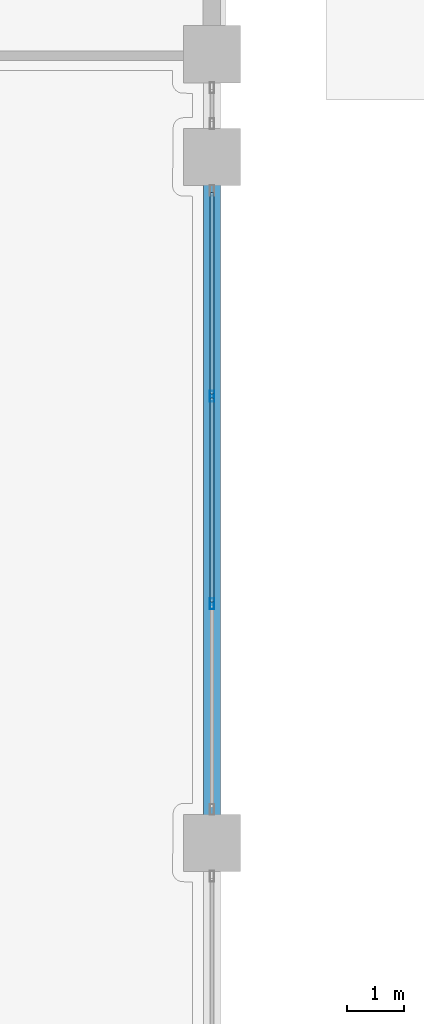
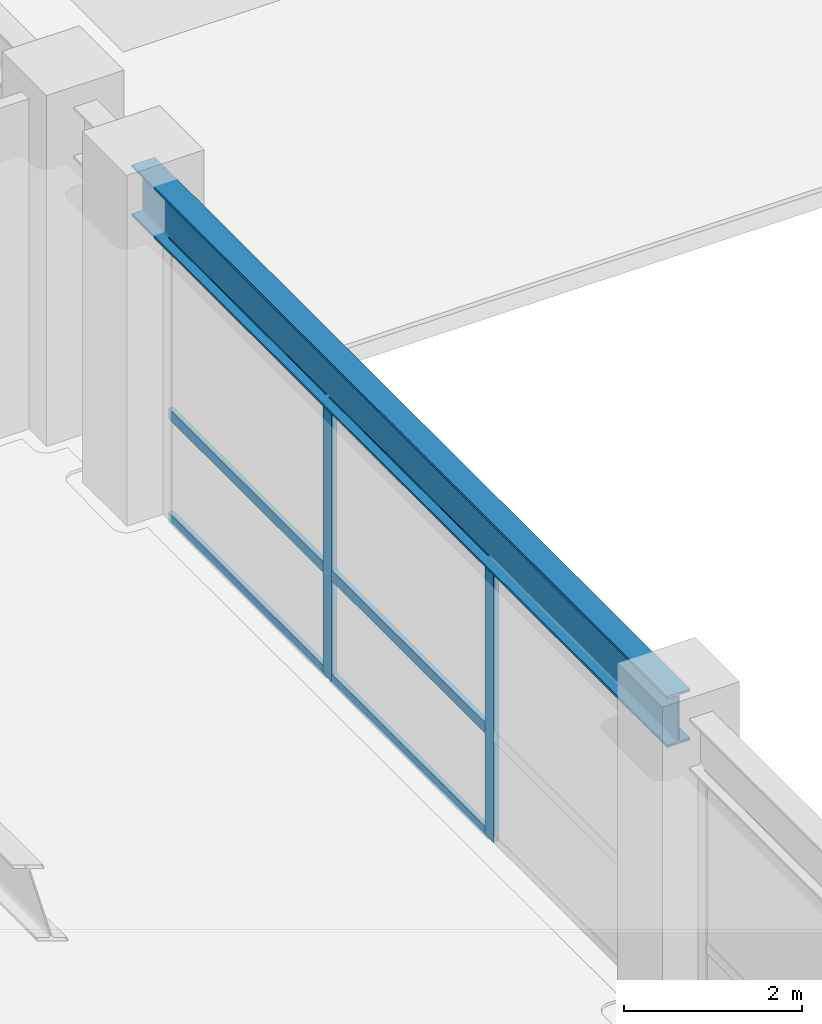
# One storey, part 7 of 34: 8 members, 1 beam, 1 element without a shape of its own.
"""IFC4 building model written with IfcOpenShell, lengths in metres."""

from ifc_helpers import new_model, si_unit, derived_unit, direction, frame, origin, origin_2d, place, context, subcontext, project, spatial, hollow_rectangle, i_section, extrude, source, transform, mapped, material, layer, layer_set, material_profile, profile_set, type_object, element, aggregate, save


model = new_model("IFC4")

# Units and contexts
model_context = context("Model", 3, precision=1e-05, world=origin(), true_north=direction((0.0, 1.0)))
body_context = subcontext(model_context, "Body", "Model", "MODEL_VIEW")
ifc_project = project(units=[si_unit("LENGTHUNIT", "METRE"), si_unit("AREAUNIT", "SQUARE_METRE"), si_unit("VOLUMEUNIT", "CUBIC_METRE"), si_unit("PLANEANGLEUNIT", "RADIAN"), si_unit("MASSUNIT", "GRAM", prefix="KILO"), derived_unit("THERMALTRANSMITTANCEUNIT", [(si_unit("POWERUNIT", "WATT"), 1), (si_unit("LENGTHUNIT", "METRE"), -2), (si_unit("THERMODYNAMICTEMPERATUREUNIT", "KELVIN"), -1)])], contexts=[model_context])

# Site, building, storey
site_placement = place(None, origin())
site = spatial("IfcSite", under=ifc_project, at=site_placement, CompositionType="ELEMENT")
building_placement = place(site_placement, origin())
building = spatial("IfcBuilding", under=site, at=building_placement, Name="Korsvarv Bourse and Concert Hall", CompositionType="ELEMENT")
storey_placement = place(building_placement, frame((0.0, 0.0, 14.39990234375)))
storey = spatial("IfcBuildingStorey", under=building, at=storey_placement, Name="L03", CompositionType="ELEMENT", Elevation=14.39990234375)

# Beam
ifc_material_1 = material(Name="Steel S355", Category="steel")
ifc_material_profile_1 = material_profile(ifc_material_1, i_section(OverallWidth=0.300048828125, OverallDepth=0.699951171875, WebThickness=0.01708984375, FlangeThickness=0.031982421875, FilletRadius=0.027099609375, at=origin_2d()), Name="HEB 700")
ifc_profile_set_1 = profile_set([ifc_material_profile_1], Name="Steel S355")
beam_type = type_object("IfcBeamType", Name="BM-HEB700", PredefinedType="BEAM", material=ifc_profile_set_1)
shared_shape_1 = source(origin(), body_context, "Body", "SweptSolid", [
    extrude(i_section(OverallWidth=0.300048828125, OverallDepth=0.699951171875, WebThickness=0.01708984375, FlangeThickness=0.031982421875, FilletRadius=0.027099609375, at=origin_2d()), origin(), (0.0, 0.0, 1.0), 12.0),
])
beam_placement = place(storey_placement, frame((66.0, 16.0, 4.170166015625), z_axis=(0.0, 1.0, 0.0), x_axis=(-1.0, 0.0, 0.0)))
element("IfcBeam", 1, at=beam_placement, inside=storey, type_object=beam_type, Name="L03 beam B-03", PredefinedType="BEAM", context=body_context, shape_type="MappedRepresentation", body=[
    mapped(shared_shape_1, transform((0.0, 0.0, 0.0), scale=1.0)),
])

# Curtain wall, members
ifc_material_2 = material(Name="Anodised aluminium and triple low-E glazing", Category="glass")
ifc_layer = layer(ifc_material_2, 0.239990234375)
ifc_layer_set = layer_set([ifc_layer], Name="Anodised aluminium and triple low-E glazing")
curtain_wall_type = type_object("IfcCurtainWallType", Name="CW-SYS-5", PredefinedType="NOTDEFINED", material=ifc_layer_set)
curtain_wall_placement = place(storey_placement, origin())
curtain_wall = element("IfcCurtainWall", 2, at=curtain_wall_placement, inside=storey, type_object=curtain_wall_type, Name="L03 CW5 curtain wall CW-L03-E2-1", PredefinedType="NOTDEFINED")
ifc_material_3 = material(Name="Extruded aluminium EN AW-6063 T66", Category="aluminium")
ifc_material_profile_2 = material_profile(ifc_material_3, hollow_rectangle(XDim=0.070068359375, YDim=0.18994140625, WallThickness=0.0048828125, at=origin_2d()), Name="ALU-M 70x190")
ifc_profile_set_2 = profile_set([ifc_material_profile_2], Name="Extruded aluminium EN AW-6063 T66")
member_type_1 = type_object("IfcMemberType", Name="CWM-190", PredefinedType="MULLION", material=ifc_profile_set_2)
shared_shape_2 = source(origin(), body_context, "Body", "SweptSolid", [
    extrude(hollow_rectangle(XDim=0.070068359375, YDim=0.18994140625, WallThickness=0.0048828125, at=origin_2d()), origin(), (0.0, 0.0, 1.0), 3.820068359375),
])
member_1_placement = place(storey_placement, frame((66.0, 20.183349609375, 0.0), z_axis=(0.0, 0.0, 1.0), x_axis=(-1.0, 0.0, 0.0)))
member_1 = element("IfcMember", 3, at=member_1_placement, type_object=member_type_1, Name="CW5 mullion 2", PredefinedType="MULLION", context=body_context, shape_type="MappedRepresentation", body=[
    mapped(shared_shape_2, transform((0.0, 0.0, 0.0), scale=1.0)),
])
member_2_placement = place(storey_placement, frame((66.0, 23.816650390625, 0.0), z_axis=(0.0, 0.0, 1.0), x_axis=(-1.0, 0.0, 0.0)))
member_2 = element("IfcMember", 4, at=member_2_placement, type_object=member_type_1, Name="CW5 mullion 3", PredefinedType="MULLION", context=body_context, shape_type="MappedRepresentation", body=[
    mapped(shared_shape_2, transform((0.0, 0.0, 0.0), scale=1.0)),
])
ifc_material_profile_3 = material_profile(ifc_material_3, hollow_rectangle(XDim=0.06494140625, YDim=0.139892578125, WallThickness=0.00390625, at=origin_2d()), Name="ALU-T 65x140")
ifc_profile_set_3 = profile_set([ifc_material_profile_3], Name="Extruded aluminium EN AW-6063 T66")
member_type_2 = type_object("IfcMemberType", Name="CWT-140", PredefinedType="USERDEFINED", material=ifc_profile_set_3)
shared_shape_3 = source(origin(), body_context, "Body", "SweptSolid", [
    extrude(hollow_rectangle(XDim=0.06494140625, YDim=0.139892578125, WallThickness=0.00390625, at=origin_2d()), origin(), (0.0, 0.0, 1.0), 3.5283203125),
])
member_3_placement = place(storey_placement, frame((66.0, 23.8515625, 0.03271484375), z_axis=(0.0, 1.0, 0.0), x_axis=(-1.0, 0.0, 0.0)))
member_3 = element("IfcMember", 5, at=member_3_placement, type_object=member_type_2, Name="CW5 transom 3.1", ObjectType="TRANSOM", PredefinedType="USERDEFINED", context=body_context, shape_type="MappedRepresentation", body=[
    mapped(shared_shape_3, transform((0.0, 0.0, 0.0), scale=1.0)),
])
member_4_placement = place(storey_placement, frame((66.0, 23.8515625, 1.45166015625), z_axis=(0.0, 1.0, 0.0), x_axis=(-1.0, 0.0, 0.0)))
member_4 = element("IfcMember", 6, at=member_4_placement, type_object=member_type_2, Name="CW5 transom 3.2", ObjectType="TRANSOM", PredefinedType="USERDEFINED", context=body_context, shape_type="MappedRepresentation", body=[
    mapped(shared_shape_3, transform((0.0, 0.0, 0.0), scale=1.0)),
])
member_5_placement = place(storey_placement, frame((66.0, 23.8515625, 3.78759765625), z_axis=(0.0, 1.0, 0.0), x_axis=(-1.0, 0.0, 0.0)))
member_5 = element("IfcMember", 7, at=member_5_placement, type_object=member_type_2, Name="CW5 transom 3.3", ObjectType="TRANSOM", PredefinedType="USERDEFINED", context=body_context, shape_type="MappedRepresentation", body=[
    mapped(shared_shape_3, transform((0.0, 0.0, 0.0), scale=1.0)),
])
shared_shape_4 = source(origin(), body_context, "Body", "SweptSolid", [
    extrude(hollow_rectangle(XDim=0.06494140625, YDim=0.139892578125, WallThickness=0.00390625, at=origin_2d()), origin(), (0.0, 0.0, 1.0), 3.5634765625),
])
member_6_placement = place(storey_placement, frame((66.0, 20.21826171875, 0.03271484375), z_axis=(0.0, 1.0, 0.0), x_axis=(-1.0, 0.0, 0.0)))
member_6 = element("IfcMember", 8, at=member_6_placement, type_object=member_type_2, Name="CW5 transom 2.1", ObjectType="TRANSOM", PredefinedType="USERDEFINED", context=body_context, shape_type="MappedRepresentation", body=[
    mapped(shared_shape_4, transform((0.0, 0.0, 0.0), scale=1.0)),
])
member_7_placement = place(storey_placement, frame((66.0, 20.21826171875, 1.45166015625), z_axis=(0.0, 1.0, 0.0), x_axis=(-1.0, 0.0, 0.0)))
member_7 = element("IfcMember", 9, at=member_7_placement, type_object=member_type_2, Name="CW5 transom 2.2", ObjectType="TRANSOM", PredefinedType="USERDEFINED", context=body_context, shape_type="MappedRepresentation", body=[
    mapped(shared_shape_4, transform((0.0, 0.0, 0.0), scale=1.0)),
])
member_8_placement = place(storey_placement, frame((66.0, 20.21826171875, 3.78759765625), z_axis=(0.0, 1.0, 0.0), x_axis=(-1.0, 0.0, 0.0)))
member_8 = element("IfcMember", 10, at=member_8_placement, type_object=member_type_2, Name="CW5 transom 2.3", ObjectType="TRANSOM", PredefinedType="USERDEFINED", context=body_context, shape_type="MappedRepresentation", body=[
    mapped(shared_shape_4, transform((0.0, 0.0, 0.0), scale=1.0)),
])
aggregate(curtain_wall, [member_1, member_2, member_6, member_7, member_8, member_3, member_4, member_5])

save(model, "model.ifc")
